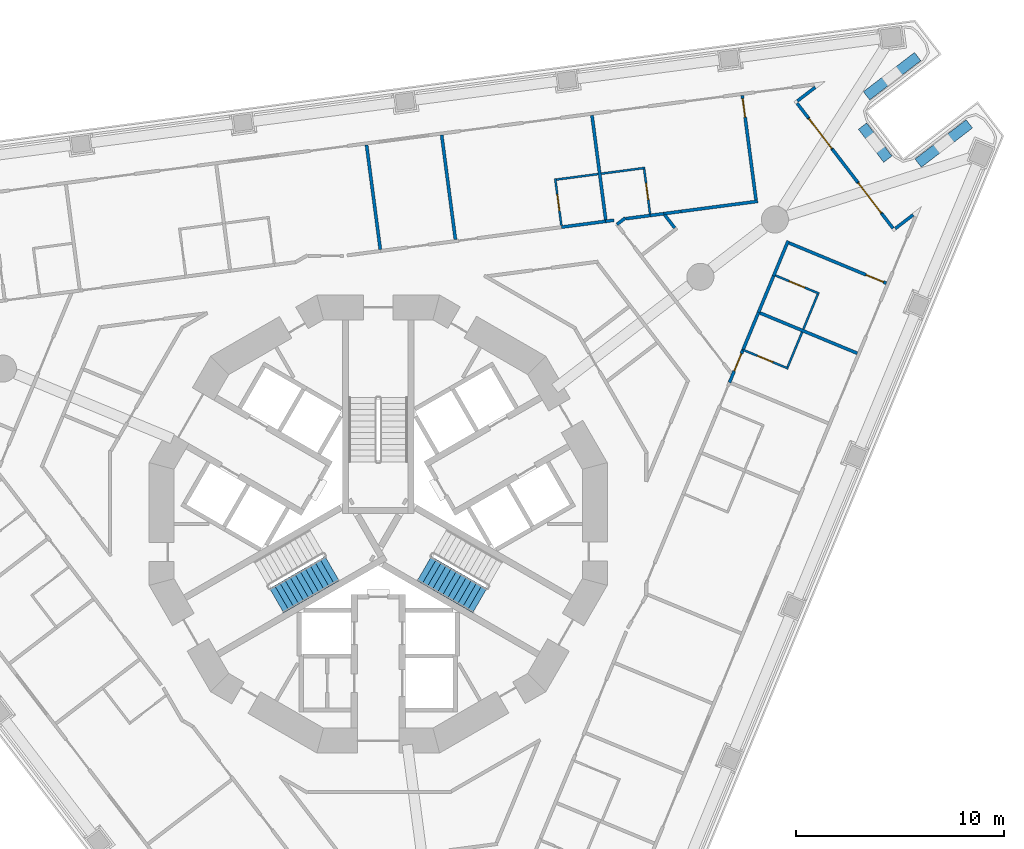
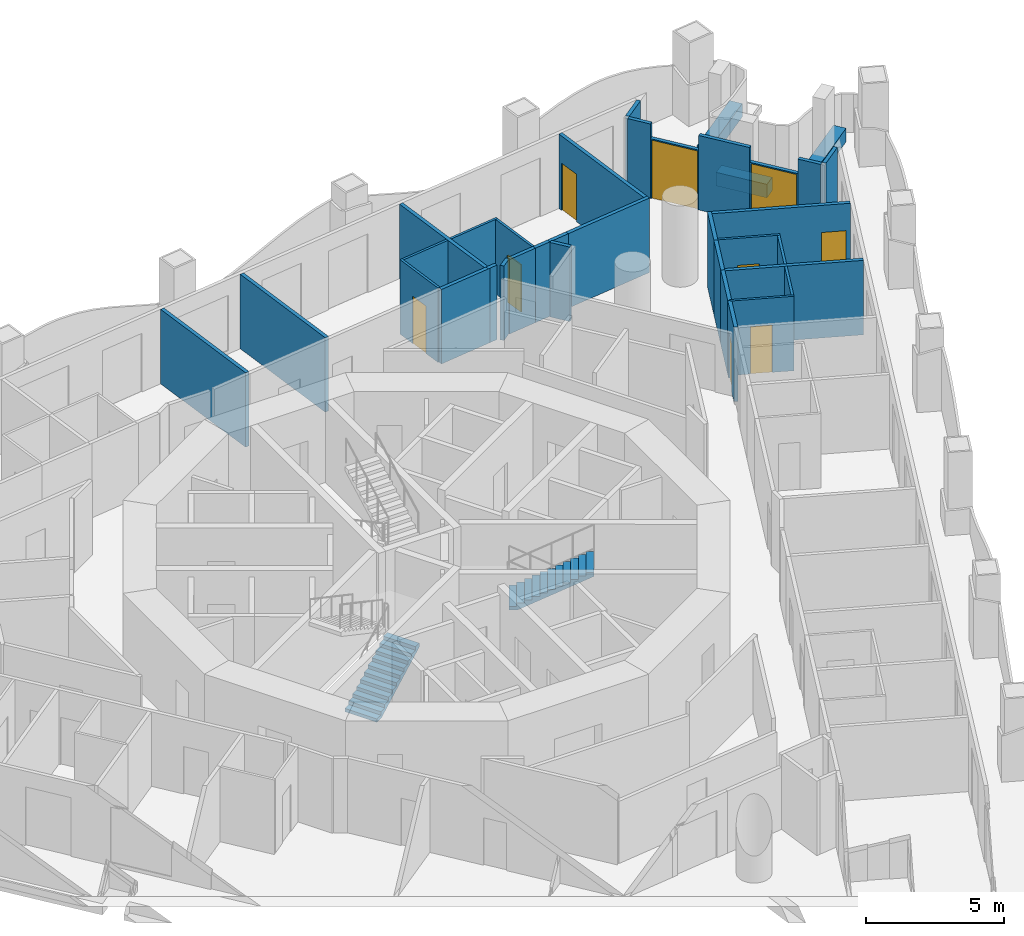
# One storey, part 10 of 19: 36 walls, 9 doors, 2 stair flights, 9 openings, 2 elements without a shape of their own.
"""IFC4 building model written with IfcOpenShell, lengths in metres."""

from ifc_helpers import new_model, si_unit, direction, frame, frame_2d, origin, place, context, subcontext, project, spatial, polyline, rectangle, outline, extrude, material, layer, layer_set, type_object, element, fill, aggregate, save


model = new_model("IFC4")

# Units and contexts
model_context = context("Model", 3, precision=1e-05, world=origin(), true_north=direction((0.0, 1.0)))
body_context = subcontext(model_context, "Body", "Model", "MODEL_VIEW")
ifc_project = project(units=[si_unit("LENGTHUNIT", "METRE"), si_unit("AREAUNIT", "SQUARE_METRE"), si_unit("VOLUMEUNIT", "CUBIC_METRE"), si_unit("PLANEANGLEUNIT", "RADIAN"), si_unit("MASSUNIT", "GRAM", prefix="KILO")], contexts=[model_context])

# Site, building, storey
site_placement = place(None, origin())
site = spatial("IfcSite", under=ifc_project, at=site_placement, CompositionType="ELEMENT")
building_placement = place(site_placement, origin())
building = spatial("IfcBuilding", under=site, at=building_placement, Name="Trine Commons Tower", CompositionType="ELEMENT")
storey_placement = place(building_placement, frame((0.0, 0.0, 64.800048828125)))
storey = spatial("IfcBuildingStorey", under=building, at=storey_placement, Name="L15", CompositionType="ELEMENT", Elevation=64.800048828125)

# Walls
ifc_material_1 = material(Name="Aluminium-framed insulated wall panel", Category="aluminium")
ifc_layer_1 = layer(ifc_material_1, 0.14990234375)
ifc_layer_set_1 = layer_set([ifc_layer_1], Name="Aluminium-framed insulated wall panel")
wall_type_1 = type_object("IfcWallType", Name="Glazed frame wall 150, EI 60", PredefinedType="SOLIDWALL", material=ifc_layer_set_1)
wall_1_placement = place(storey_placement, frame((101.129150390625, 83.584716796875, 0.0), z_axis=(0.0, 0.0, 1.0), x_axis=(-0.79337253673, -0.608736410905, 0.0)))
element("IfcWall", 1, at=wall_1_placement, inside=storey, type_object=wall_type_1, Name="Glazed frame wall R5", PredefinedType="SOLIDWALL", context=body_context, shape_type="SweptSolid", body=[
    extrude(outline(polyline([(0.1494140625, 0.074951171875), (0.1494140625, -0.074951171875), (1.235107421875, -0.074951171875), (1.235107421875, 0.074951171875), (0.1494140625, 0.074951171875)])), origin(), (0.0, 0.0, 1.0), 3.300048828125),
])
wall_2_placement = place(storey_placement, frame((100.068603515625, 82.81494140625, 0.0), z_axis=(0.0, 0.0, 1.0), x_axis=(0.608908114293, -0.793240763166, 0.0)))
element("IfcWall", 2, at=wall_2_placement, inside=storey, type_object=wall_type_1, Name="Glazed frame wall P2.1", PredefinedType="SOLIDWALL", context=body_context, shape_type="SweptSolid", body=[
    extrude(outline(polyline([(0.110107421875, -0.074951171875), (1.0, -0.074951171875), (1.0, 0.074951171875), (0.110107421875, 0.074951171875), (0.110107421875, -0.074951171875)])), origin(), (0.0, 0.0, 1.0), 3.300048828125),
])

# Wall, opening, door
wall_3_placement = place(storey_placement, frame((100.677490234375, 82.021728515625, 0.0), z_axis=(0.0, 0.0, 1.0), x_axis=(0.608722862036, -0.793382932281, 0.0)))
wall_3 = element("IfcWall", 3, at=wall_3_placement, inside=storey, type_object=wall_type_1, Name="Glazed frame wall P2.2", PredefinedType="SOLIDWALL", context=body_context, shape_type="SweptSolid", body=[
    extrude(outline(polyline([(0.0, -0.074951171875), (1.89990234375, -0.074951171875), (1.89990234375, 0.074951171875), (0.0, 0.074951171875), (0.0, -0.074951171875)])), origin(), (0.0, 0.0, 1.0), 2.64990234375),
])
opening_1_placement = place(wall_3_placement, frame((0.050048828125, 0.0, 0.0)))
opening_1 = element("IfcOpeningElement", 4, at=opening_1_placement, cuts=wall_3, Name="Opening BD-2P2-01", PredefinedType="OPENING", context=body_context, shape_type="SweptSolid", body=[
    extrude(rectangle(XDim=1.800048828125, YDim=2.60009765625, at=frame_2d((0.89990234375, 1.300048828125))), frame((0.0, 0.0849609375, 0.0), z_axis=(0.0, -1.0, 0.0), x_axis=(1.0, 0.0, 0.0)), (0.0, 0.0, 1.0), 0.169921875),
])
ifc_material_2 = material(Name="Anodised aluminium frame with double glazing", Category="aluminium")
door_type_1 = type_object("IfcDoorType", Name="Sliding loggia door 1800x2600", OperationType="SLIDING_TO_LEFT", PredefinedType="DOOR", material=ifc_material_2)
door_1_placement = place(opening_1_placement, origin())
door_1 = element("IfcDoor", 5, at=door_1_placement, inside=storey, type_object=door_type_1, Name="Loggia door P2 1", OperationType="SLIDING_TO_LEFT", OverallHeight=2.60009765625, OverallWidth=1.800048828125, PredefinedType="DOOR", context=body_context, shape_type="SweptSolid", body=[
    extrude(rectangle(XDim=1.800048828125, YDim=2.60009765625, at=frame_2d((0.89990234375, 1.300048828125))), frame((0.0, 0.02490234375, 0.0), z_axis=(0.0, -1.0, 0.0), x_axis=(1.0, 0.0, 0.0)), (0.0, 0.0, 1.0), 0.050048828125),
])
fill(opening_1, door_1)

# Wall
wall_4_placement = place(storey_placement, frame((101.833984375, 80.514404296875, 0.0), z_axis=(0.0, 0.0, 1.0), x_axis=(0.608713379391, -0.793390207748, 0.0)))
element("IfcWall", 6, at=wall_4_placement, inside=storey, type_object=wall_type_1, Name="Glazed frame wall P2.3", PredefinedType="SOLIDWALL", context=body_context, shape_type="SweptSolid", body=[
    extrude(outline(polyline([(0.0, -0.074951171875), (2.0, -0.074951171875), (2.0, 0.074951171875), (0.0, 0.074951171875), (0.0, -0.074951171875)])), origin(), (0.0, 0.0, 1.0), 3.300048828125),
])

# Wall, opening, door
wall_5_placement = place(storey_placement, frame((103.051513671875, 78.927490234375, 0.0), z_axis=(0.0, 0.0, 1.0), x_axis=(0.608803740143, -0.793320872023, 0.0)))
wall_5 = element("IfcWall", 7, at=wall_5_placement, inside=storey, type_object=wall_type_1, Name="Glazed frame wall P2.4", PredefinedType="SOLIDWALL", context=body_context, shape_type="SweptSolid", body=[
    extrude(outline(polyline([(0.0, -0.074951171875), (1.89990234375, -0.074951171875), (1.89990234375, 0.074951171875), (0.0, 0.074951171875), (0.0, -0.074951171875)])), origin(), (0.0, 0.0, 1.0), 2.64990234375),
])
opening_2_placement = place(wall_5_placement, frame((0.050048828125, 0.0, 0.0)))
opening_2 = element("IfcOpeningElement", 8, at=opening_2_placement, cuts=wall_5, Name="Opening BD-2P2-02", PredefinedType="OPENING", context=body_context, shape_type="SweptSolid", body=[
    extrude(rectangle(XDim=1.800048828125, YDim=2.60009765625, at=frame_2d((0.89990234375, 1.300048828125))), frame((0.0, 0.0849609375, 0.0), z_axis=(0.0, -1.0, 0.0), x_axis=(1.0, 0.0, 0.0)), (0.0, 0.0, 1.0), 0.169921875),
])
door_2_placement = place(opening_2_placement, origin())
door_2 = element("IfcDoor", 9, at=door_2_placement, inside=storey, type_object=door_type_1, Name="Loggia door P2 2", OperationType="SLIDING_TO_LEFT", OverallHeight=2.60009765625, OverallWidth=1.800048828125, PredefinedType="DOOR", context=body_context, shape_type="SweptSolid", body=[
    extrude(rectangle(XDim=1.800048828125, YDim=2.60009765625, at=frame_2d((0.89990234375, 1.300048828125))), frame((0.0, 0.02490234375, 0.0), z_axis=(0.0, -1.0, 0.0), x_axis=(1.0, 0.0, 0.0)), (0.0, 0.0, 1.0), 0.050048828125),
])
fill(opening_2, door_2)

# Walls
wall_6_placement = place(storey_placement, frame((104.208251953125, 77.420166015625, 0.0), z_axis=(0.0, 0.0, 1.0), x_axis=(0.608754453805, -0.793358692504, 0.0)))
element("IfcWall", 10, at=wall_6_placement, inside=storey, type_object=wall_type_1, Name="Glazed frame wall P2.5", PredefinedType="SOLIDWALL", context=body_context, shape_type="SweptSolid", body=[
    extrude(outline(polyline([(0.889892578125, 0.074951171875), (0.0, 0.074951171875), (0.0, -0.074951171875), (0.889892578125, -0.074951171875), (0.889892578125, 0.074951171875)])), origin(), (0.0, 0.0, 1.0), 3.300048828125),
])
wall_7_placement = place(storey_placement, frame((104.767822265625, 76.63330078125, 0.0), z_axis=(0.0, 0.0, 1.0), x_axis=(0.793352136239, 0.608762998157, 0.0)))
element("IfcWall", 11, at=wall_7_placement, inside=storey, type_object=wall_type_1, Name="Glazed frame wall R7", PredefinedType="SOLIDWALL", context=body_context, shape_type="SweptSolid", body=[
    extrude(outline(polyline([(0.110107421875, 0.074951171875), (0.110107421875, -0.074951171875), (1.19580078125, -0.074951171875), (1.19580078125, 0.074951171875), (0.110107421875, 0.074951171875)])), origin(), (0.0, 0.0, 1.0), 3.300048828125),
])
ifc_material_3 = material(Name="Planter trough, precast concrete C40/50", Category="concrete")
ifc_layer_2 = layer(ifc_material_3, 0.5)
ifc_layer_set_2 = layer_set([ifc_layer_2], Name="Planter trough, precast concrete C40/50")
wall_type_2 = type_object("IfcWallType", Name="Planter trough 500x600", PredefinedType="PARAPET", material=ifc_layer_set_2)
wall_8_placement = place(storey_placement, frame((105.933349609375, 84.970703125, 0.0), z_axis=(0.0, 0.0, 1.0), x_axis=(-0.793355321014, -0.608758847671, 0.0)))
element("IfcWall", 12, at=wall_8_placement, inside=storey, type_object=wall_type_2, Name="Planter 4", PredefinedType="PARAPET", context=body_context, shape_type="SweptSolid", body=[
    extrude(rectangle(XDim=3.10009765625, YDim=0.5, at=frame_2d((1.550048828125, 0.0))), origin(), (0.0, 0.0, 1.0), 0.599853515625),
])
wall_9_placement = place(storey_placement, frame((103.281982421875, 81.625244140625, 0.0), z_axis=(0.0, 0.0, 1.0), x_axis=(0.608772331974, -0.793344974033, 0.0)))
element("IfcWall", 13, at=wall_9_placement, inside=storey, type_object=wall_type_2, Name="Planter 5", PredefinedType="PARAPET", context=body_context, shape_type="SweptSolid", body=[
    extrude(rectangle(XDim=2.0, YDim=0.5, at=frame_2d((1.0, 0.0))), origin(), (0.0, 0.0, 1.0), 0.599853515625),
])
wall_10_placement = place(storey_placement, frame((105.95751953125, 79.8466796875, 0.0), z_axis=(0.0, 0.0, 1.0), x_axis=(0.793355321014, 0.608758847671, 0.0)))
element("IfcWall", 14, at=wall_10_placement, inside=storey, type_object=wall_type_2, Name="Planter 6", PredefinedType="PARAPET", context=body_context, shape_type="SweptSolid", body=[
    extrude(rectangle(XDim=3.10009765625, YDim=0.5, at=frame_2d((1.550048828125, 0.0))), origin(), (0.0, 0.0, 1.0), 0.599853515625),
])
ifc_material_4 = material(Name="Gypsum plasterboard on steel stud", Category="steel")
ifc_layer_3 = layer(ifc_material_4, 0.14990234375)
ifc_layer_set_3 = layer_set([ifc_layer_3], Name="Gypsum plasterboard on steel stud")
wall_type_3 = type_object("IfcWallType", Name="Unit and corridor wall 150 mm, EI 60", PredefinedType="PARTITIONING", material=ifc_layer_set_3)
wall_11_placement = place(storey_placement, frame((79.439208984375, 80.71923828125, 0.0), z_axis=(0.0, 0.0, 1.0), x_axis=(0.130505643681, -0.991447566424, 0.0)))
element("IfcWall", 15, at=wall_11_placement, inside=storey, type_object=wall_type_3, Name="Partition 079", PredefinedType="PARTITIONING", context=body_context, shape_type="SweptSolid", body=[
    extrude(rectangle(XDim=5.06396484375, YDim=0.14990234375, at=frame_2d((2.531982421875, 0.0))), origin(), (0.0, 0.0, 1.0), 3.300048828125),
])
wall_12_placement = place(storey_placement, frame((83.05126953125, 81.1953125, 0.0), z_axis=(0.0, 0.0, 1.0), x_axis=(0.130499406053, -0.991448387471, 0.0)))
element("IfcWall", 16, at=wall_12_placement, inside=storey, type_object=wall_type_3, Name="Partition 083", PredefinedType="PARTITIONING", context=body_context, shape_type="SweptSolid", body=[
    extrude(rectangle(XDim=5.064208984375, YDim=0.14990234375, at=frame_2d((2.5322265625, 0.0))), origin(), (0.0, 0.0, 1.0), 3.300048828125),
])
wall_13_placement = place(storey_placement, frame((88.81201171875, 76.77001953125, 0.0), z_axis=(0.0, 0.0, 1.0), x_axis=(0.991424492634, 0.13068081499, 0.0)))
element("IfcWall", 17, at=wall_13_placement, inside=storey, type_object=wall_type_3, Name="Partition 107", PredefinedType="PARTITIONING", context=body_context, shape_type="SweptSolid", body=[
    extrude(rectangle(XDim=2.232421875, YDim=0.14990234375, at=frame_2d((1.1162109375, 0.0))), origin(), (0.0, 0.0, 1.0), 3.300048828125),
])
wall_14_placement = place(storey_placement, frame((90.276123046875, 82.146240234375, 0.0), z_axis=(0.0, 0.0, 1.0), x_axis=(0.130553032561, -0.991441327406, 0.0)))
element("IfcWall", 18, at=wall_14_placement, inside=storey, type_object=wall_type_3, Name="Partition 114", PredefinedType="PARTITIONING", context=body_context, shape_type="SweptSolid", body=[
    extrude(rectangle(XDim=5.064208984375, YDim=0.14990234375, at=frame_2d((2.5322265625, 0.0))), origin(), (0.0, 0.0, 1.0), 3.300048828125),
])
wall_15_placement = place(storey_placement, frame((90.935302734375, 77.050048828125, 0.0), z_axis=(0.0, 0.0, 1.0), x_axis=(0.991508240123, 0.130043876322, 0.0)))
element("IfcWall", 19, at=wall_15_placement, inside=storey, type_object=wall_type_3, Name="Partition 120", PredefinedType="PARTITIONING", context=body_context, shape_type="SweptSolid", body=[
    extrude(rectangle(XDim=0.39990234375, YDim=0.14990234375, at=frame_2d((0.199951171875, 0.0))), origin(), (0.0, 0.0, 1.0), 3.300048828125),
])
wall_16_placement = place(storey_placement, frame((91.47607421875, 76.903076171875, 0.0), z_axis=(0.0, 0.0, 1.0), x_axis=(0.794371473226, 0.607432269908, 0.0)))
element("IfcWall", 20, at=wall_16_placement, inside=storey, type_object=wall_type_3, Name="Partition 124", PredefinedType="PARTITIONING", context=body_context, shape_type="SweptSolid", body=[
    extrude(rectangle(XDim=0.508056640625, YDim=0.14990234375, at=frame_2d((0.25390625, 0.0))), origin(), (0.0, 0.0, 1.0), 3.300048828125),
])
wall_17_placement = place(storey_placement, frame((91.894287109375, 77.17578125, 0.0), z_axis=(0.0, 0.0, 1.0), x_axis=(0.991471614011, 0.130322824598, 0.0)))
element("IfcWall", 21, at=wall_17_placement, inside=storey, type_object=wall_type_3, Name="Partition 125", PredefinedType="PARTITIONING", context=body_context, shape_type="SweptSolid", body=[
    extrude(rectangle(XDim=1.198974609375, YDim=0.14990234375, at=frame_2d((0.599609375, 0.0))), origin(), (0.0, 0.0, 1.0), 3.300048828125),
])
wall_18_placement = place(storey_placement, frame((93.074951171875, 77.3310546875, 0.0), z_axis=(0.0, 0.0, 1.0), x_axis=(0.991453033969, 0.130464100171, 0.0)))
element("IfcWall", 22, at=wall_18_placement, inside=storey, type_object=wall_type_3, Name="Partition 134", PredefinedType="PARTITIONING", context=body_context, shape_type="SweptSolid", body=[
    extrude(rectangle(XDim=0.65869140625, YDim=0.14990234375, at=frame_2d((0.329345703125, 0.0))), origin(), (0.0, 0.0, 1.0), 3.300048828125),
])
wall_19_placement = place(storey_placement, frame((93.773681640625, 77.357421875, 0.0), z_axis=(0.0, 0.0, 1.0), x_axis=(0.609485891215, -0.792796914985, 0.0)))
element("IfcWall", 23, at=wall_19_placement, inside=storey, type_object=wall_type_3, Name="Partition 135", PredefinedType="PARTITIONING", context=body_context, shape_type="SweptSolid", body=[
    extrude(rectangle(XDim=0.787109375, YDim=0.14990234375, at=frame_2d((0.3935546875, 0.0))), origin(), (0.0, 0.0, 1.0), 3.300048828125),
])
wall_20_placement = place(storey_placement, frame((93.72802734375, 77.4169921875, 0.0), z_axis=(0.0, 0.0, 1.0), x_axis=(0.991356991582, 0.131191902348, 0.0)))
element("IfcWall", 24, at=wall_20_placement, inside=storey, type_object=wall_type_3, Name="Partition 136", PredefinedType="PARTITIONING", context=body_context, shape_type="SweptSolid", body=[
    extrude(rectangle(XDim=0.83935546875, YDim=0.14990234375, at=frame_2d((0.419677734375, 0.0))), origin(), (0.0, 0.0, 1.0), 3.300048828125),
])
wall_21_placement = place(storey_placement, frame((94.56005859375, 77.527099609375, 0.0), z_axis=(0.0, 0.0, 1.0), x_axis=(0.991468816947, 0.130344102367, 0.0)))
element("IfcWall", 25, at=wall_21_placement, inside=storey, type_object=wall_type_3, Name="Partition 137", PredefinedType="PARTITIONING", context=body_context, shape_type="SweptSolid", body=[
    extrude(rectangle(XDim=3.718017578125, YDim=0.14990234375, at=frame_2d((1.85888671875, 0.0))), origin(), (0.0, 0.0, 1.0), 3.300048828125),
])

# Wall, opening, door
wall_22_placement = place(storey_placement, frame((96.886962890625, 69.303955078125, 0.0), z_axis=(0.0, 0.0, 1.0), x_axis=(0.382668597728, 0.92388567708, 0.0)))
wall_22 = element("IfcWall", 26, at=wall_22_placement, inside=storey, type_object=wall_type_3, Name="Partition 145", PredefinedType="PARTITIONING", context=body_context, shape_type="SweptSolid", body=[
    extrude(rectangle(XDim=1.701416015625, YDim=0.14990234375, at=frame_2d((0.8505859375, 0.0))), origin(), (0.0, 0.0, 1.0), 3.300048828125),
])
opening_3_placement = place(wall_22_placement, frame((0.602294921875, 0.0, 0.0)))
opening_3 = element("IfcOpeningElement", 27, at=opening_3_placement, cuts=wall_22, Name="Opening D-2B15", PredefinedType="OPENING", context=body_context, shape_type="SweptSolid", body=[
    extrude(rectangle(XDim=0.89990234375, YDim=2.10009765625, at=frame_2d((0.449951171875, 1.050048828125))), frame((0.0, 0.0849609375, 0.0), z_axis=(0.0, -1.0, 0.0), x_axis=(1.0, 0.0, 0.0)), (0.0, 0.0, 1.0), 0.169921875),
])
ifc_material_5 = material(Name="Timber fire door set", Category="wood")
door_type_2 = type_object("IfcDoorType", Name="Bedroom door 900 x 2100, FD30S", OperationType="NOTDEFINED", PredefinedType="DOOR", material=ifc_material_5)
door_3_placement = place(opening_3_placement, frame((0.89990234375, 0.0, 0.0), z_axis=(0.0, 0.0, 1.0), x_axis=(-1.0, 0.0, 0.0)))
door_3 = element("IfcDoor", 28, at=door_3_placement, inside=storey, type_object=door_type_2, Name="Door D-2B15", OperationType="SINGLE_SWING_LEFT", OverallHeight=2.10009765625, OverallWidth=0.89990234375, PredefinedType="DOOR", context=body_context, shape_type="SweptSolid", body=[
    extrude(rectangle(XDim=0.89990234375, YDim=2.10009765625, at=frame_2d((0.449951171875, 1.050048828125))), frame((0.0, 0.02490234375, 0.0), z_axis=(0.0, -1.0, 0.0), x_axis=(1.0, 0.0, 0.0)), (0.0, 0.0, 1.0), 0.050048828125),
])
fill(opening_3, door_3)

wall_23_placement = place(storey_placement, frame((97.501220703125, 83.097412109375, 0.0), z_axis=(0.0, 0.0, 1.0), x_axis=(0.130499406053, -0.991448387471, 0.0)))
wall_23 = element("IfcWall", 29, at=wall_23_placement, inside=storey, type_object=wall_type_3, Name="Partition 147", PredefinedType="PARTITIONING", context=body_context, shape_type="SweptSolid", body=[
    extrude(rectangle(XDim=5.064208984375, YDim=0.14990234375, at=frame_2d((2.5322265625, 0.0))), origin(), (0.0, 0.0, 1.0), 3.300048828125),
])
opening_4_placement = place(wall_23_placement, frame((0.14990234375, 0.0, 0.0)))
opening_4 = element("IfcOpeningElement", 30, at=opening_4_placement, cuts=wall_23, Name="Opening D-2B13", PredefinedType="OPENING", context=body_context, shape_type="SweptSolid", body=[
    extrude(rectangle(XDim=0.89990234375, YDim=2.10009765625, at=frame_2d((0.449951171875, 1.050048828125))), frame((0.0, 0.0849609375, 0.0), z_axis=(0.0, -1.0, 0.0), x_axis=(1.0, 0.0, 0.0)), (0.0, 0.0, 1.0), 0.169921875),
])
door_4_placement = place(opening_4_placement, frame((0.89990234375, 0.0, 0.0), z_axis=(0.0, 0.0, 1.0), x_axis=(-1.0, 0.0, 0.0)))
door_4 = element("IfcDoor", 31, at=door_4_placement, inside=storey, type_object=door_type_2, Name="Door D-2B13", OperationType="SINGLE_SWING_RIGHT", OverallHeight=2.10009765625, OverallWidth=0.89990234375, PredefinedType="DOOR", context=body_context, shape_type="SweptSolid", body=[
    extrude(rectangle(XDim=0.89990234375, YDim=2.10009765625, at=frame_2d((0.449951171875, 1.050048828125))), frame((0.0, 0.02490234375, 0.0), z_axis=(0.0, -1.0, 0.0), x_axis=(1.0, 0.0, 0.0)), (0.0, 0.0, 1.0), 0.050048828125),
])
fill(opening_4, door_4)

# Walls
wall_24_placement = place(storey_placement, frame((97.534912109375, 70.868896484375, 0.0), z_axis=(0.0, 0.0, 1.0), x_axis=(0.382822590874, 0.92382187889, 0.0)))
element("IfcWall", 32, at=wall_24_placement, inside=storey, type_object=wall_type_3, Name="Partition 148", PredefinedType="PARTITIONING", context=body_context, shape_type="SweptSolid", body=[
    extrude(rectangle(XDim=1.9541015625, YDim=0.14990234375, at=frame_2d((0.97705078125, 0.0))), origin(), (0.0, 0.0, 1.0), 3.300048828125),
])
wall_25_placement = place(storey_placement, frame((98.282958984375, 72.674072265625, 0.0), z_axis=(0.0, 0.0, 1.0), x_axis=(0.382440102022, 0.923980285702, 0.0)))
element("IfcWall", 33, at=wall_25_placement, inside=storey, type_object=wall_type_3, Name="Partition 152", PredefinedType="PARTITIONING", context=body_context, shape_type="SweptSolid", body=[
    extrude(rectangle(XDim=1.953369140625, YDim=0.14990234375, at=frame_2d((0.9765625, 0.0))), origin(), (0.0, 0.0, 1.0), 3.300048828125),
])
wall_26_placement = place(storey_placement, frame((98.352294921875, 72.645263671875, 0.0), z_axis=(0.0, 0.0, 1.0), x_axis=(0.923879340067, -0.382683896966, 0.0)))
element("IfcWall", 34, at=wall_26_placement, inside=storey, type_object=wall_type_3, Name="Partition 153", PredefinedType="PARTITIONING", context=body_context, shape_type="SweptSolid", body=[
    extrude(rectangle(XDim=5.064208984375, YDim=0.14990234375, at=frame_2d((2.5322265625, 0.0))), origin(), (0.0, 0.0, 1.0), 3.300048828125),
])
wall_27_placement = place(storey_placement, frame((99.0078125, 74.42578125, 0.0), z_axis=(0.0, 0.0, 1.0), x_axis=(0.382978779623, 0.923757140356, 0.0)))
element("IfcWall", 35, at=wall_27_placement, inside=storey, type_object=wall_type_3, Name="Partition 154", PredefinedType="PARTITIONING", context=body_context, shape_type="SweptSolid", body=[
    extrude(rectangle(XDim=1.822509765625, YDim=0.14990234375, at=frame_2d((0.9111328125, 0.0))), origin(), (0.0, 0.0, 1.0), 3.300048828125),
])

# Wall, opening, door
wall_28_placement = place(storey_placement, frame((99.746337890625, 76.01123046875, 0.0), z_axis=(0.0, 0.0, 1.0), x_axis=(0.923879340067, -0.382683896966, 0.0)))
wall_28 = element("IfcWall", 36, at=wall_28_placement, inside=storey, type_object=wall_type_3, Name="Partition 157", PredefinedType="PARTITIONING", context=body_context, shape_type="SweptSolid", body=[
    extrude(rectangle(XDim=5.064208984375, YDim=0.14990234375, at=frame_2d((2.5322265625, 0.0))), origin(), (0.0, 0.0, 1.0), 3.300048828125),
])
opening_5_placement = place(wall_28_placement, frame((4.01416015625, 0.0, 0.0)))
opening_5 = element("IfcOpeningElement", 37, at=opening_5_placement, cuts=wall_28, Name="Opening D-2B14", PredefinedType="OPENING", context=body_context, shape_type="SweptSolid", body=[
    extrude(rectangle(XDim=0.89990234375, YDim=2.10009765625, at=frame_2d((0.449951171875, 1.050048828125))), frame((0.0, 0.0849609375, 0.0), z_axis=(0.0, -1.0, 0.0), x_axis=(1.0, 0.0, 0.0)), (0.0, 0.0, 1.0), 0.169921875),
])
door_5_placement = place(opening_5_placement, frame((0.89990234375, 0.0, 0.0), z_axis=(0.0, 0.0, 1.0), x_axis=(-1.0, 0.0, 0.0)))
door_5 = element("IfcDoor", 38, at=door_5_placement, inside=storey, type_object=door_type_2, Name="Door D-2B14", OperationType="SINGLE_SWING_LEFT", OverallHeight=2.10009765625, OverallWidth=0.89990234375, PredefinedType="DOOR", context=body_context, shape_type="SweptSolid", body=[
    extrude(rectangle(XDim=0.89990234375, YDim=2.10009765625, at=frame_2d((0.449951171875, 1.050048828125))), frame((0.0, 0.02490234375, 0.0), z_axis=(0.0, -1.0, 0.0), x_axis=(1.0, 0.0, 0.0)), (0.0, 0.0, 1.0), 0.050048828125),
])
fill(opening_5, door_5)

ifc_layer_4 = layer(ifc_material_4, 0.10009765625)
ifc_layer_set_4 = layer_set([ifc_layer_4], Name="Gypsum plasterboard on steel stud")
wall_type_4 = type_object("IfcWallType", Name="Unit partition 100 mm, no rating", PredefinedType="PARTITIONING", material=ifc_layer_set_4)
wall_29_placement = place(storey_placement, frame((88.508544921875, 79.1005859375, 0.0), z_axis=(0.0, 0.0, 1.0), x_axis=(0.13083486939, -0.991404174367, 0.0)))
wall_29 = element("IfcWall", 39, at=wall_29_placement, inside=storey, type_object=wall_type_4, Name="Partition 104", PredefinedType="PARTITIONING", context=body_context, shape_type="SweptSolid", body=[
    extrude(rectangle(XDim=2.274658203125, YDim=0.10009765625, at=frame_2d((1.13720703125, 0.0))), origin(), (0.0, 0.0, 1.0), 3.300048828125),
])
opening_6_placement = place(wall_29_placement, frame((0.762451171875, 0.0, 0.0)))
opening_6 = element("IfcOpeningElement", 40, at=opening_6_placement, cuts=wall_29, Name="Opening D-2B42", PredefinedType="OPENING", context=body_context, shape_type="SweptSolid", body=[
    extrude(rectangle(XDim=0.800048828125, YDim=2.10009765625, at=frame_2d((0.39990234375, 1.050048828125))), frame((0.0, 0.06005859375, 0.0), z_axis=(0.0, -1.0, 0.0), x_axis=(1.0, 0.0, 0.0)), (0.0, 0.0, 1.0), 0.1201171875),
])
ifc_material_6 = material(Name="Painted timber", Category="wood")
door_type_3 = type_object("IfcDoorType", Name="Internal door 800 x 2100, NOT RATED", OperationType="NOTDEFINED", PredefinedType="DOOR", material=ifc_material_6)
door_6_placement = place(opening_6_placement, frame((0.800048828125, 0.0, 0.0), z_axis=(0.0, 0.0, 1.0), x_axis=(-1.0, 0.0, 0.0)))
door_6 = element("IfcDoor", 41, at=door_6_placement, inside=storey, type_object=door_type_3, Name="Door D-2B42", OperationType="SINGLE_SWING_LEFT", OverallHeight=2.10009765625, OverallWidth=0.800048828125, PredefinedType="DOOR", context=body_context, shape_type="SweptSolid", body=[
    extrude(rectangle(XDim=0.800048828125, YDim=2.10009765625, at=frame_2d((0.39990234375, 1.050048828125))), frame((0.0, 0.02490234375, 0.0), z_axis=(0.0, -1.0, 0.0), x_axis=(1.0, 0.0, 0.0)), (0.0, 0.0, 1.0), 0.050048828125),
])
fill(opening_6, door_6)

# Walls
wall_30_placement = place(storey_placement, frame((88.564697265625, 79.0576171875, 0.0), z_axis=(0.0, 0.0, 1.0), x_axis=(0.99148709198, 0.130205016943, 0.0)))
element("IfcWall", 42, at=wall_30_placement, inside=storey, type_object=wall_type_4, Name="Partition 105", PredefinedType="PARTITIONING", context=body_context, shape_type="SweptSolid", body=[
    extrude(rectangle(XDim=2.025146484375, YDim=0.10009765625, at=frame_2d((1.0126953125, 0.0))), origin(), (0.0, 0.0, 1.0), 3.300048828125),
])
wall_31_placement = place(storey_placement, frame((90.721435546875, 79.3408203125, 0.0), z_axis=(0.0, 0.0, 1.0), x_axis=(0.991434344141, 0.130606053677, 0.0)))
element("IfcWall", 43, at=wall_31_placement, inside=storey, type_object=wall_type_4, Name="Partition 116", PredefinedType="PARTITIONING", context=body_context, shape_type="SweptSolid", body=[
    extrude(rectangle(XDim=2.12548828125, YDim=0.10009765625, at=frame_2d((1.062744140625, 0.0))), origin(), (0.0, 0.0, 1.0), 3.300048828125),
])

# Wall, opening, door
wall_32_placement = place(storey_placement, frame((92.785400390625, 79.5625, 0.0), z_axis=(0.0, 0.0, 1.0), x_axis=(0.130457416757, -0.991453913409, 0.0)))
wall_32 = element("IfcWall", 44, at=wall_32_placement, inside=storey, type_object=wall_type_4, Name="Partition 128", PredefinedType="PARTITIONING", context=body_context, shape_type="SweptSolid", body=[
    extrude(rectangle(XDim=2.174560546875, YDim=0.10009765625, at=frame_2d((1.08740234375, 0.0))), origin(), (0.0, 0.0, 1.0), 3.300048828125),
])
opening_7_placement = place(wall_32_placement, frame((0.687255859375, 0.0, 0.0)))
opening_7 = element("IfcOpeningElement", 45, at=opening_7_placement, cuts=wall_32, Name="Opening D-2B43", PredefinedType="OPENING", context=body_context, shape_type="SweptSolid", body=[
    extrude(rectangle(XDim=0.800048828125, YDim=2.10009765625, at=frame_2d((0.39990234375, 1.050048828125))), frame((0.0, 0.06005859375, 0.0), z_axis=(0.0, -1.0, 0.0), x_axis=(1.0, 0.0, 0.0)), (0.0, 0.0, 1.0), 0.1201171875),
])
door_7_placement = place(opening_7_placement, origin())
door_7 = element("IfcDoor", 46, at=door_7_placement, inside=storey, type_object=door_type_3, Name="Door D-2B43", OperationType="SINGLE_SWING_LEFT", OverallHeight=2.10009765625, OverallWidth=0.800048828125, PredefinedType="DOOR", context=body_context, shape_type="SweptSolid", body=[
    extrude(rectangle(XDim=0.800048828125, YDim=2.10009765625, at=frame_2d((0.39990234375, 1.050048828125))), frame((0.0, 0.02490234375, 0.0), z_axis=(0.0, -1.0, 0.0), x_axis=(1.0, 0.0, 0.0)), (0.0, 0.0, 1.0), 0.050048828125),
])
fill(opening_7, door_7)

wall_33_placement = place(storey_placement, frame((97.537109375, 70.8720703125, 0.0), z_axis=(0.0, 0.0, 1.0), x_axis=(0.923901614008, -0.382630118564, 0.0)))
wall_33 = element("IfcWall", 47, at=wall_33_placement, inside=storey, type_object=wall_type_4, Name="Partition 149", PredefinedType="PARTITIONING", context=body_context, shape_type="SweptSolid", body=[
    extrude(rectangle(XDim=2.349853515625, YDim=0.10009765625, at=frame_2d((1.1748046875, 0.0))), origin(), (0.0, 0.0, 1.0), 3.300048828125),
])
opening_8_placement = place(wall_33_placement, frame((0.75, 0.0, 0.0)))
opening_8 = element("IfcOpeningElement", 48, at=opening_8_placement, cuts=wall_33, Name="Opening D-2B45", PredefinedType="OPENING", context=body_context, shape_type="SweptSolid", body=[
    extrude(rectangle(XDim=0.800048828125, YDim=2.10009765625, at=frame_2d((0.39990234375, 1.050048828125))), frame((0.0, 0.06005859375, 0.0), z_axis=(0.0, -1.0, 0.0), x_axis=(1.0, 0.0, 0.0)), (0.0, 0.0, 1.0), 0.1201171875),
])
door_8_placement = place(opening_8_placement, frame((0.800048828125, 0.0, 0.0), z_axis=(0.0, 0.0, 1.0), x_axis=(-1.0, 0.0, 0.0)))
door_8 = element("IfcDoor", 49, at=door_8_placement, inside=storey, type_object=door_type_3, Name="Door D-2B45", OperationType="SINGLE_SWING_RIGHT", OverallHeight=2.10009765625, OverallWidth=0.800048828125, PredefinedType="DOOR", context=body_context, shape_type="SweptSolid", body=[
    extrude(rectangle(XDim=0.800048828125, YDim=2.10009765625, at=frame_2d((0.39990234375, 1.050048828125))), frame((0.0, 0.02490234375, 0.0), z_axis=(0.0, -1.0, 0.0), x_axis=(1.0, 0.0, 0.0)), (0.0, 0.0, 1.0), 0.050048828125),
])
fill(opening_8, door_8)

wall_34_placement = place(storey_placement, frame((99.098388671875, 74.4462890625, 0.0), z_axis=(0.0, 0.0, 1.0), x_axis=(0.923916126796, -0.382595073996, 0.0)))
wall_34 = element("IfcWall", 50, at=wall_34_placement, inside=storey, type_object=wall_type_4, Name="Partition 155", PredefinedType="PARTITIONING", context=body_context, shape_type="SweptSolid", body=[
    extrude(rectangle(XDim=2.27490234375, YDim=0.10009765625, at=frame_2d((1.137451171875, 0.0))), origin(), (0.0, 0.0, 1.0), 3.300048828125),
])
opening_9_placement = place(wall_34_placement, frame((0.71240234375, 0.0, 0.0)))
opening_9 = element("IfcOpeningElement", 51, at=opening_9_placement, cuts=wall_34, Name="Opening D-2B44", PredefinedType="OPENING", context=body_context, shape_type="SweptSolid", body=[
    extrude(rectangle(XDim=0.800048828125, YDim=2.10009765625, at=frame_2d((0.39990234375, 1.050048828125))), frame((0.0, 0.06005859375, 0.0), z_axis=(0.0, -1.0, 0.0), x_axis=(1.0, 0.0, 0.0)), (0.0, 0.0, 1.0), 0.1201171875),
])
door_9_placement = place(opening_9_placement, origin())
door_9 = element("IfcDoor", 52, at=door_9_placement, inside=storey, type_object=door_type_3, Name="Door D-2B44", OperationType="SINGLE_SWING_LEFT", OverallHeight=2.10009765625, OverallWidth=0.800048828125, PredefinedType="DOOR", context=body_context, shape_type="SweptSolid", body=[
    extrude(rectangle(XDim=0.800048828125, YDim=2.10009765625, at=frame_2d((0.39990234375, 1.050048828125))), frame((0.0, 0.02490234375, 0.0), z_axis=(0.0, -1.0, 0.0), x_axis=(1.0, 0.0, 0.0)), (0.0, 0.0, 1.0), 0.050048828125),
])
fill(opening_9, door_9)

# Walls
wall_35_placement = place(storey_placement, frame((99.68115234375, 70.0380859375, 0.0), z_axis=(0.0, 0.0, 1.0), x_axis=(0.382525049986, 0.923945120737, 0.0)))
element("IfcWall", 53, at=wall_35_placement, inside=storey, type_object=wall_type_4, Name="Partition 156", PredefinedType="PARTITIONING", context=body_context, shape_type="SweptSolid", body=[
    extrude(rectangle(XDim=1.825439453125, YDim=0.10009765625, at=frame_2d((0.91259765625, 0.0))), origin(), (0.0, 0.0, 1.0), 3.300048828125),
])
wall_36_placement = place(storey_placement, frame((100.436767578125, 71.86328125, 0.0), z_axis=(0.0, 0.0, 1.0), x_axis=(0.382714221705, 0.923866778548, 0.0)))
element("IfcWall", 54, at=wall_36_placement, inside=storey, type_object=wall_type_4, Name="Partition 158", PredefinedType="PARTITIONING", context=body_context, shape_type="SweptSolid", body=[
    extrude(rectangle(XDim=1.824462890625, YDim=0.10009765625, at=frame_2d((0.912109375, 0.0))), origin(), (0.0, 0.0, 1.0), 3.300048828125),
])

# Stair, stair flight
ifc_material_7 = material(Name="Concrete C50/60", Category="concrete")
stair_type = type_object("IfcStairType", Name="Exit stair, dog-leg, 24 risers of 150 mm", PredefinedType="HALF_TURN_STAIR", material=ifc_material_7)
stair_1_placement = place(storey_placement, origin())
stair_1 = element("IfcStair", 55, at=stair_1_placement, inside=storey, type_object=stair_type, Name="L15 Exit stair ST2A", PredefinedType="HALF_TURN_STAIR")
stair_flight_type = type_object("IfcStairFlightType", Name="Stair flight, 1350 wide, 12 risers of 150 mm", PredefinedType="STRAIGHT", material=ifc_material_7)
stair_flight_1_placement = place(storey_placement, frame((75.11767578125, 58.815185546875, 0.0), z_axis=(0.0, 0.0, 1.0), x_axis=(0.866025403784, 0.5, 0.0)))
stair_flight_1 = element("IfcStairFlight", 56, at=stair_flight_1_placement, type_object=stair_flight_type, Name="ST2A flight 1", NumberOfRisers=12, NumberOfTreads=11, PredefinedType="STRAIGHT", RiserHeight=0.15, TreadLength=0.28, context=body_context, shape_type="SweptSolid", body=[
    extrude(outline(polyline([(0.0, 0.0), (0.0, 0.14990234375), (0.280029296875, 0.14990234375), (0.280029296875, 0.300048828125), (0.56005859375, 0.300048828125), (0.56005859375, 0.449951171875), (0.840087890625, 0.449951171875), (0.840087890625, 0.60009765625), (1.1201171875, 0.60009765625), (1.1201171875, 0.75), (1.39990234375, 0.75), (1.39990234375, 0.89990234375), (1.679931640625, 0.89990234375), (1.679931640625, 1.050048828125), (1.9599609375, 1.050048828125), (1.9599609375, 1.199951171875), (2.239990234375, 1.199951171875), (2.239990234375, 1.35009765625), (2.52001953125, 1.35009765625), (2.52001953125, 1.5), (2.800048828125, 1.5), (2.800048828125, 1.64990234375), (3.080078125, 1.64990234375), (3.080078125, 1.800048828125), (3.080078125, 1.47998046875), (0.3173828125, 0.0), (0.0, 0.0)])), frame((0.0, 0.675048828125, 0.0), z_axis=(0.0, -1.0, 0.0), x_axis=(1.0, 0.0, 0.0)), (0.0, 0.0, 1.0), 1.35009765625),
])
aggregate(stair_1, [stair_flight_1])

stair_2_placement = place(storey_placement, origin())
stair_2 = element("IfcStair", 57, at=stair_2_placement, inside=storey, type_object=stair_type, Name="L15 Exit stair ST3A", PredefinedType="HALF_TURN_STAIR")
stair_flight_2_placement = place(storey_placement, frame((82.21484375, 60.355224609375, 1.800048828125), z_axis=(0.0, 0.0, 1.0), x_axis=(0.866025403784, -0.5, 0.0)))
stair_flight_2 = element("IfcStairFlight", 58, at=stair_flight_2_placement, type_object=stair_flight_type, Name="ST3A flight 2", NumberOfRisers=12, NumberOfTreads=11, PredefinedType="STRAIGHT", RiserHeight=0.15, TreadLength=0.28, context=body_context, shape_type="SweptSolid", body=[
    extrude(outline(polyline([(0.0, 0.0), (0.0, 0.14990234375), (0.280029296875, 0.14990234375), (0.280029296875, 0.300048828125), (0.56005859375, 0.300048828125), (0.56005859375, 0.449951171875), (0.840087890625, 0.449951171875), (0.840087890625, 0.60009765625), (1.1201171875, 0.60009765625), (1.1201171875, 0.75), (1.39990234375, 0.75), (1.39990234375, 0.89990234375), (1.679931640625, 0.89990234375), (1.679931640625, 1.050048828125), (1.9599609375, 1.050048828125), (1.9599609375, 1.199951171875), (2.239990234375, 1.199951171875), (2.239990234375, 1.35009765625), (2.52001953125, 1.35009765625), (2.52001953125, 1.5), (2.800048828125, 1.5), (2.800048828125, 1.64990234375), (3.080078125, 1.64990234375), (3.080078125, 1.800048828125), (3.080078125, 1.47998046875), (0.3173828125, 0.0), (0.0, 0.0)])), frame((0.0, 0.675048828125, 0.0), z_axis=(0.0, -1.0, 0.0), x_axis=(1.0, 0.0, 0.0)), (0.0, 0.0, 1.0), 1.35009765625),
])
aggregate(stair_2, [stair_flight_2])

save(model, "model.ifc")
